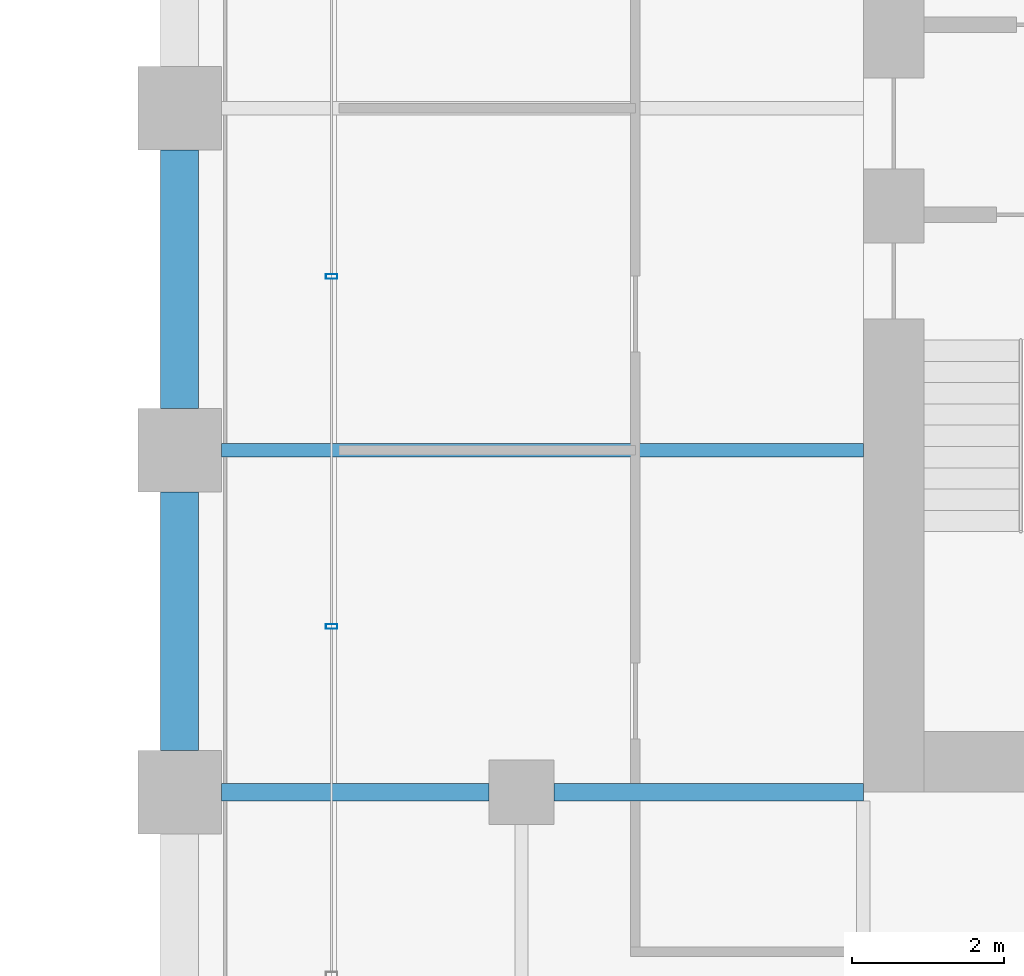
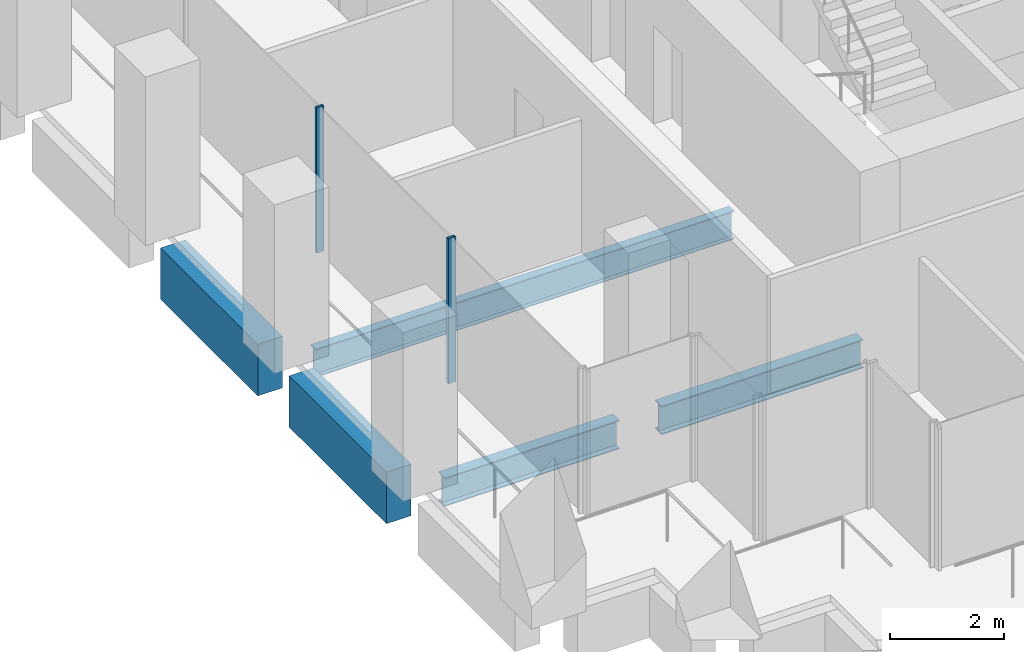
# One storey, part 36 of 56: 5 beams, 2 members, 1 element without a shape of its own.
"""IFC4 building model written with IfcOpenShell, lengths in metres."""

from ifc_helpers import new_model, si_unit, direction, frame, origin, origin_2d, place, context, subcontext, project, spatial, rectangle, hollow_rectangle, i_section, extrude, material, material_profile, profile_set, type_object, element, aggregate, save


model = new_model("IFC4")

# Units and contexts
model_context = context("Model", 3, precision=1e-05, world=origin(), true_north=direction((0.0, 1.0)))
body_context = subcontext(model_context, "Body", "Model", "MODEL_VIEW")
ifc_project = project(units=[si_unit("LENGTHUNIT", "METRE"), si_unit("AREAUNIT", "SQUARE_METRE"), si_unit("VOLUMEUNIT", "CUBIC_METRE"), si_unit("PLANEANGLEUNIT", "RADIAN"), si_unit("MASSUNIT", "GRAM", prefix="KILO")], contexts=[model_context])

# Site, building, storey
site_placement = place(None, origin())
site = spatial("IfcSite", under=ifc_project, at=site_placement, CompositionType="ELEMENT")
building_placement = place(site_placement, origin())
building = spatial("IfcBuilding", under=site, at=building_placement, Name="Altepetl Exchange Towers", CompositionType="ELEMENT")
storey_placement = place(building_placement, frame((0.0, 0.0, 69.0)))
storey = spatial("IfcBuildingStorey", under=building, at=storey_placement, Name="L16", CompositionType="ELEMENT", Elevation=69.0)

# Beams
ifc_material_1 = material(Name="Steel S355", Category="steel")
ifc_material_profile_1 = material_profile(ifc_material_1, i_section(OverallWidth=0.177978515625, OverallDepth=0.59912109375, WebThickness=0.010009765625, FlangeThickness=0.0126953125, at=origin_2d()), Name="W24X55")
ifc_profile_set_1 = profile_set([ifc_material_profile_1], Name="Steel S355")
beam_type_1 = type_object("IfcBeamType", Name="Floor beam W24X55", PredefinedType="BEAM", material=ifc_profile_set_1)
beam_1_placement = place(storey_placement, frame((95.050048828125, 40.5, -0.449462890625), z_axis=(1.0, 0.0, 0.0), x_axis=(0.0, 1.0, 0.0)))
element("IfcBeam", 1, at=beam_1_placement, inside=storey, type_object=beam_type_1, Name="bm:B:L16:012", PredefinedType="BEAM", context=body_context, shape_type="SweptSolid", body=[
    extrude(i_section(OverallWidth=0.177978515625, OverallDepth=0.59912109375, WebThickness=0.010009765625, FlangeThickness=0.0126953125, at=origin_2d()), origin(), (0.0, 0.0, 1.0), 8.449951171875),
])
ifc_material_profile_2 = material_profile(ifc_material_1, i_section(OverallWidth=0.22802734375, OverallDepth=0.60791015625, WebThickness=0.01123046875, FlangeThickness=0.017333984375, at=origin_2d()), Name="W24X76")
ifc_profile_set_2 = profile_set([ifc_material_profile_2], Name="Steel S355")
beam_type_2 = type_object("IfcBeamType", Name="Girder W24X76", PredefinedType="BEAM", material=ifc_profile_set_2)
beam_2_placement = place(storey_placement, frame((103.5, 36.0, -0.4541015625), z_axis=(-1.0, 0.0, 0.0), x_axis=(0.0, -1.0, 0.0)))
element("IfcBeam", 2, at=beam_2_placement, inside=storey, type_object=beam_type_2, Name="gd:B:L16:006", PredefinedType="BEAM", context=body_context, shape_type="SweptSolid", body=[
    extrude(i_section(OverallWidth=0.22802734375, OverallDepth=0.60791015625, WebThickness=0.01123046875, FlangeThickness=0.017333984375, at=origin_2d()), origin(), (0.0, 0.0, 1.0), 4.074951171875),
])
beam_3_placement = place(storey_placement, frame((98.574951171875, 36.0, -0.4541015625), z_axis=(-1.0, 0.0, 0.0), x_axis=(0.0, -1.0, 0.0)))
element("IfcBeam", 3, at=beam_3_placement, inside=storey, type_object=beam_type_2, Name="gd:B:L16:007", PredefinedType="BEAM", context=body_context, shape_type="SweptSolid", body=[
    extrude(i_section(OverallWidth=0.22802734375, OverallDepth=0.60791015625, WebThickness=0.01123046875, FlangeThickness=0.017333984375, at=origin_2d()), origin(), (0.0, 0.0, 1.0), 3.52490234375),
])

# Curtain wall, members
ifc_material_2 = material(Name="Aluminium 6063-T6 glazing", Category="aluminium")
curtain_wall_type = type_object("IfcCurtainWallType", Name="Loggia glazing system", PredefinedType="NOTDEFINED", material=ifc_material_2)
curtain_wall_placement = place(storey_placement, origin())
curtain_wall = element("IfcCurtainWall", 4, at=curtain_wall_placement, inside=storey, type_object=curtain_wall_type, Name="CW1 run", PredefinedType="NOTDEFINED")
ifc_material_3 = material(Name="Aluminium 6063-T6", Category="aluminium")
ifc_material_profile_3 = material_profile(ifc_material_3, hollow_rectangle(XDim=0.06005859375, YDim=0.14990234375, WallThickness=0.0029296875, at=origin_2d()), Name="Mullion 60x150 aluminium")
ifc_profile_set_3 = profile_set([ifc_material_profile_3], Name="Aluminium 6063-T6")
member_type = type_object("IfcMemberType", Name="Mullion 60x150 aluminium", PredefinedType="MULLION", material=ifc_profile_set_3)
member_1_placement = place(storey_placement, frame((96.5, 42.78759765625, 0.0), z_axis=(0.0, 0.0, 1.0), x_axis=(0.0, -1.0, 0.0)))
member_1 = element("IfcMember", 5, at=member_1_placement, type_object=member_type, Name="MU1 mullion", PredefinedType="MULLION", context=body_context, shape_type="SweptSolid", body=[
    extrude(hollow_rectangle(XDim=0.06005859375, YDim=0.14990234375, WallThickness=0.0029296875, at=origin_2d()), origin(), (0.0, 0.0, 1.0), 3.10009765625),
])
member_2_placement = place(storey_placement, frame((96.5, 38.18115234375, 0.0), z_axis=(0.0, 0.0, 1.0), x_axis=(0.0, -1.0, 0.0)))
member_2 = element("IfcMember", 6, at=member_2_placement, type_object=member_type, Name="MU1 mullion", PredefinedType="MULLION", context=body_context, shape_type="SweptSolid", body=[
    extrude(hollow_rectangle(XDim=0.06005859375, YDim=0.14990234375, WallThickness=0.0029296875, at=origin_2d()), origin(), (0.0, 0.0, 1.0), 3.10009765625),
])
aggregate(curtain_wall, [member_1, member_2])

# Beams
ifc_material_4 = material(Name="Concrete C50/60 precast with cantera rosa facing", Category="concrete")
ifc_material_profile_4 = material_profile(ifc_material_4, rectangle(XDim=0.5, YDim=1.10009765625, at=origin_2d()), Name="500 x 1100")
ifc_profile_set_4 = profile_set([ifc_material_profile_4], Name="Concrete C50/60 precast with cantera rosa facing")
beam_type_3 = type_object("IfcBeamType", Name="Spandrel beam 500x1100 cantera rosa", PredefinedType="SPANDREL", material=ifc_profile_set_4)
for number, where, z_axis, x_axis, name in (
    (7, (94.5, 44.449951171875, -0.699951171875), (0.0, -1.0, 0.0), (1.0, 0.0, 0.0), "sp:B:L16:029"),
    (8, (94.5, 39.949951171875, -0.699951171875), (0.0, -1.0, 0.0), (1.0, 0.0, 0.0), "sp:B:L16:030"),
):
    element("IfcBeam", number, at=place(storey_placement, frame(where, z_axis=z_axis, x_axis=x_axis)), inside=storey, type_object=beam_type_3, Name=name, PredefinedType="SPANDREL", context=body_context, shape_type="SweptSolid", body=[
        extrude(rectangle(XDim=0.5, YDim=1.10009765625, at=origin_2d()), origin(), (0.0, 0.0, 1.0), 3.39990234375),
    ])

save(model, "model.ifc")
